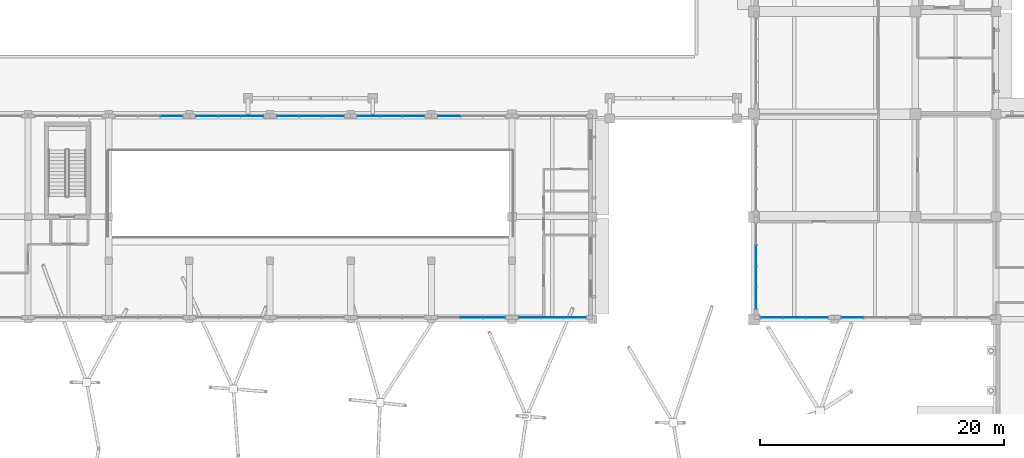
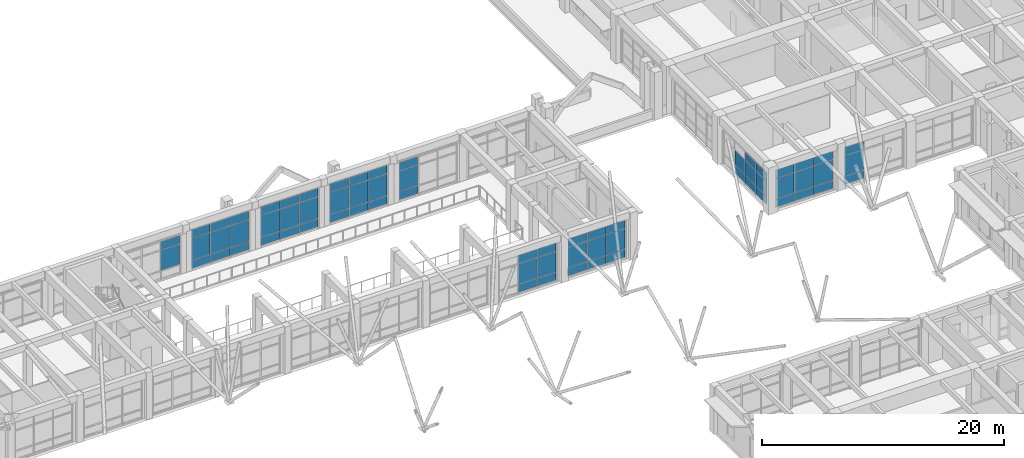
# One storey, part 37 of 75: 67 plates, 10 elements without a shape of their own.
"""IFC4 building model written with IfcOpenShell, lengths in metres."""

import ifcopenshell
import ifcopenshell.guid

model = None  # the IFC model being written
_history = None  # IfcOwnerHistory: only IFC2X3 demands one
_inside = {}  # id of a spatial element -> (the spatial element, [elements in it])
_under = {}  # id of a project, library or spatial element -> (it, [spatial elements below it])
_declared = {}  # id of a project -> (the project, [libraries it declares])
_typed = {}  # id of a type object -> (the type object, [elements of that type])
_made_of = {}  # id of a material, layer set ... -> (it, [elements and type objects made of it])


def new_model(schema):
    """Start an empty IFC model of exactly this schema.

    Asked for "IFC4X3", IfcOpenShell would pick the latest addendum, in which some entities
    have other attributes; the version numbers below select the first issue.
    IFC2X3 requires an IfcOwnerHistory on every rooted entity: one is made here for all.
    """
    global model, _history
    if schema == "IFC4X3":
        model = ifcopenshell.file(schema_version=(4, 3, 0, 0))
    else:
        model = ifcopenshell.file(schema=schema)
    _inside.clear()
    _under.clear()
    _declared.clear()
    _typed.clear()
    _made_of.clear()
    _history = None
    if model.schema == "IFC2X3":
        org = make("IfcOrganization", Name="unknown")
        user = make(
            "IfcPersonAndOrganization",
            ThePerson=make("IfcPerson", FamilyName="unknown"),
            TheOrganization=org,
        )
        app = make(
            "IfcApplication",
            ApplicationDeveloper=org,
            Version="unknown",
            ApplicationFullName="unknown",
            ApplicationIdentifier="unknown",
        )
        _history = make(
            "IfcOwnerHistory",
            OwningUser=user,
            OwningApplication=app,
            ChangeAction="ADDED",
            CreationDate=0,
        )
    return model


def make(cls, **values):
    """One entity of the class cls with the attributes given. An attribute that is None is left unset."""
    return model.create_entity(
        cls, **{name: value for name, value in values.items() if value is not None}
    )


def rooted(cls, **values):
    """An entity with a GlobalId (a new one), such as an element, a storey or a relation."""
    return make(cls, GlobalId=ifcopenshell.guid.new(), OwnerHistory=_history, **values)


def si_unit(unit_type, name, prefix=None):
    """IfcSIUnit, for example si_unit("LENGTHUNIT", "METRE", prefix="MILLI")."""
    return make("IfcSIUnit", UnitType=unit_type, Prefix=prefix, Name=name)


def assignment(units):
    """IfcUnitAssignment: the units of a project."""
    return None if units is None else make("IfcUnitAssignment", Units=units)


def point(xyz):
    """IfcCartesianPoint."""
    return None if xyz is None else make("IfcCartesianPoint", Coordinates=xyz)


def direction(xyz):
    """IfcDirection."""
    return None if xyz is None else make("IfcDirection", DirectionRatios=xyz)


def frame(location, z_axis=None, x_axis=None):
    """IfcAxis2Placement3D, a coordinate frame: its origin and axes. An axis left out is left unset."""
    return make(
        "IfcAxis2Placement3D",
        Location=point(location),
        Axis=direction(z_axis),
        RefDirection=direction(x_axis),
    )


def frame_2d(location, x_axis=None):
    """IfcAxis2Placement2D, a coordinate frame in the plane: its origin and x axis."""
    return make(
        "IfcAxis2Placement2D", Location=point(location), RefDirection=direction(x_axis)
    )


def origin():
    """The frame at (0, 0, 0) with its axes left unset."""
    return frame((0.0, 0.0, 0.0))


def origin_2d():
    """The frame at (0, 0) in the plane with its x axis left unset."""
    return frame_2d((0.0, 0.0))


def place(relative_to, where):
    """IfcLocalPlacement: puts the frame where relative to a parent placement (None: the world)."""
    return make(
        "IfcLocalPlacement", PlacementRelTo=relative_to, RelativePlacement=where
    )


def context(
    kind, dimensions, precision=None, world=None, true_north=None, identifier=None
):
    """IfcGeometricRepresentationContext, for example the 3D "Model" context."""
    return make(
        "IfcGeometricRepresentationContext",
        ContextIdentifier=identifier,
        ContextType=kind,
        CoordinateSpaceDimension=dimensions,
        Precision=precision,
        WorldCoordinateSystem=world,
        TrueNorth=true_north,
    )


def subcontext(parent, identifier, kind, view, scale=None):
    """IfcGeometricRepresentationSubContext, for example "Body" below "Model"."""
    return make(
        "IfcGeometricRepresentationSubContext",
        ContextIdentifier=identifier,
        ContextType=kind,
        ParentContext=parent,
        TargetScale=scale,
        TargetView=view,
    )


def project(units=None, contexts=None):
    """IfcProject with its units and contexts."""
    return rooted(
        "IfcProject",
        Name="project",
        RepresentationContexts=contexts,
        UnitsInContext=assignment(units),
    )


def spatial(cls, under=None, at=None, **own):
    """A site, building, storey or space (cls), placed at a placement, below another one or the project."""
    s = rooted(cls, ObjectPlacement=at, **own)
    if under is not None:
        _under.setdefault(under.id(), (under, []))[1].append(s)
    return s


def profile(cls, at=None, kind="AREA", **sizes):
    """A parametric profile (cls). Its sizes go by their IFC names, for example OverallWidth=200.0."""
    return make(cls, ProfileType=kind, Position=at, **sizes)


def rectangle(**sizes):
    """IfcRectangleProfileDef."""
    return profile("IfcRectangleProfileDef", **sizes)


def extrude(swept, where, along, depth):
    """IfcExtrudedAreaSolid: the profile swept, set in the frame where, extruded along a direction by depth."""
    return make(
        "IfcExtrudedAreaSolid",
        SweptArea=swept,
        Position=where,
        ExtrudedDirection=direction(along),
        Depth=depth,
    )


def shape(context_of_items, identifier, shape_type, items):
    """IfcShapeRepresentation: the items that make up one representation, for example the "Body"."""
    return make(
        "IfcShapeRepresentation",
        ContextOfItems=context_of_items,
        RepresentationIdentifier=identifier,
        RepresentationType=shape_type,
        Items=items,
    )


def material(Name=None, Category=None):
    """IfcMaterial."""
    return make("IfcMaterial", Name=Name, Category=Category)


def layer(
    of_material, thickness, ventilated=None, Name=None, Category=None, Priority=None
):
    """IfcMaterialLayer: one layer of a wall or slab, of a material (None: an air gap)."""
    return make(
        "IfcMaterialLayer",
        Material=of_material,
        LayerThickness=thickness,
        IsVentilated=ventilated,
        Name=Name,
        Category=Category,
        Priority=Priority,
    )


def layer_set(layers, Name=None):
    """IfcMaterialLayerSet."""
    return make("IfcMaterialLayerSet", MaterialLayers=layers, LayerSetName=Name)


def made_of(thing, what):
    """Note that an element or type object is made of a material, layer set ...; save() writes the relation."""
    if what is not None:
        _made_of.setdefault(what.id(), (what, []))[1].append(thing)
    return thing


def type_object(cls, material=None, **own):
    """A type object (cls), such as IfcWallType, which elements share."""
    return made_of(rooted(cls, **own), material)


def element(
    cls,
    number,
    at=None,
    inside=None,
    cuts=None,
    type_object=None,
    material=None,
    context=None,
    identifier="Body",
    shape_type=None,
    held_by="IfcProductDefinitionShape",
    body=None,
    shapes=None,
    **own,
):
    """One element of the class cls, such as IfcWall. Its Tag is "e" and its number.

    at: its placement. inside: the storey or other place that contains it. cuts: it is an
    opening in that element (IfcRelVoidsElement). A single representation is given by context,
    identifier, shape_type and body (its items); several are given by shapes. held_by: the class
    of the entity that holds the representations. save() writes the other relations.
    """
    e = rooted(cls, Tag="e%d" % number, ObjectPlacement=at, **own)
    if body is not None:
        shapes = [shape(context, identifier, shape_type, body)]
    if shapes is not None:
        e.Representation = make(held_by, Representations=shapes)
    if inside is not None:
        _inside.setdefault(inside.id(), (inside, []))[1].append(e)
    if cuts is not None:
        rooted(
            "IfcRelVoidsElement", RelatingBuildingElement=cuts, RelatedOpeningElement=e
        )
    if type_object is not None:
        _typed.setdefault(type_object.id(), (type_object, []))[1].append(e)
    return made_of(e, material)


def aggregate(whole, parts):
    """IfcRelAggregates: a whole, such as a stair, and the parts it consists of."""
    return rooted("IfcRelAggregates", RelatingObject=whole, RelatedObjects=parts)


def save(model, path):
    """Write the relations noted so far, then the file.

    IfcRelAggregates (storeys below a building ...), IfcRelContainedInSpatialStructure (elements
    in a storey), IfcRelDefinesByType, IfcRelAssociatesMaterial and IfcRelDeclares: one each for
    every whole, place, type object, material and project.
    """
    for whole, parts in _under.values():
        aggregate(whole, parts)
    for where, things in _inside.values():
        rooted(
            "IfcRelContainedInSpatialStructure",
            RelatedElements=things,
            RelatingStructure=where,
        )
    for kind, things in _typed.values():
        rooted("IfcRelDefinesByType", RelatedObjects=things, RelatingType=kind)
    for what, things in _made_of.values():
        rooted("IfcRelAssociatesMaterial", RelatedObjects=things, RelatingMaterial=what)
    for by, libraries in _declared.values():
        rooted("IfcRelDeclares", RelatingContext=by, RelatedDefinitions=libraries)
    model.write(path)


model = new_model("IFC4")

# Units and contexts
model_context = context("Model", 3, precision=1e-05, world=origin(), true_north=direction((0.0, 1.0)))
body_context = subcontext(model_context, "Body", "Model", "MODEL_VIEW")
ifc_project = project(units=[si_unit("LENGTHUNIT", "METRE"), si_unit("AREAUNIT", "SQUARE_METRE"), si_unit("VOLUMEUNIT", "CUBIC_METRE"), si_unit("PLANEANGLEUNIT", "RADIAN"), si_unit("MASSUNIT", "GRAM", prefix="KILO")], contexts=[model_context])

# Site, building, storey
site_placement = place(None, origin())
site = spatial("IfcSite", under=ifc_project, at=site_placement, CompositionType="ELEMENT")
building_placement = place(site_placement, origin())
building = spatial("IfcBuilding", under=site, at=building_placement, Name="Kolvaren Faculty of Natural Sciences", CompositionType="ELEMENT")
storey_placement = place(building_placement, frame((0.0, 0.0, 5.39990234375)))
storey = spatial("IfcBuildingStorey", under=building, at=storey_placement, Name="L01", CompositionType="ELEMENT", Elevation=5.39990234375)

# Curtain wall, plate
ifc_material_1 = material(Name="Thermally broken anodised aluminium framing", Category="aluminium")
ifc_layer_1 = layer(ifc_material_1, 0.179931640625)
ifc_layer_set_1 = layer_set([ifc_layer_1], Name="Thermally broken anodised aluminium framing")
curtain_wall_type_1 = type_object("IfcCurtainWallType", Name="CommonsCurtainWall_CW02", PredefinedType="NOTDEFINED", material=ifc_layer_set_1)
curtain_wall_1_placement = place(storey_placement, origin())
curtain_wall_1 = element("IfcCurtainWall", 1, at=curtain_wall_1_placement, inside=storey, type_object=curtain_wall_type_1, Name="L01 unitised curtain wall CW-02 (CW-L01-031)", PredefinedType="NOTDEFINED")
ifc_material_2 = material(Name="Double low-E solar control insulated glazing", Category="glass")
ifc_layer_2 = layer(ifc_material_2, 0.035888671875)
ifc_layer_set_2 = layer_set([ifc_layer_2], Name="Double low-E solar control insulated glazing")
plate_type_1 = type_object("IfcPlateType", Name="EnvelopePlate_CWPGL1", PredefinedType="CURTAIN_PANEL", material=ifc_layer_set_2)
plate_1_placement = place(storey_placement, frame((127.066650390625, 67.56005859375, 0.920166015625), z_axis=(0.0, 0.0, 1.0), x_axis=(-1.0, 0.0, 0.0)))
plate_1 = element("IfcPlate", 2, at=plate_1_placement, type_object=plate_type_1, Name="CW-L01-031 panel 3 V1", PredefinedType="CURTAIN_PANEL", context=body_context, shape_type="SweptSolid", body=[
    extrude(rectangle(XDim=1.783203125, YDim=0.035888671875, at=origin_2d()), origin(), (0.0, 0.0, 1.0), 2.044921875),
])

# Curtain wall, plates
curtain_wall_2_placement = place(storey_placement, origin())
curtain_wall_2 = element("IfcCurtainWall", 3, at=curtain_wall_2_placement, inside=storey, type_object=curtain_wall_type_1, Name="L01 unitised curtain wall CW-02 (CW-L01-032)", PredefinedType="NOTDEFINED")
plate_2_placement = place(storey_placement, frame((124.13330078125, 67.56005859375, 0.920166015625), z_axis=(0.0, 0.0, 1.0), x_axis=(-1.0, 0.0, 0.0)))
plate_2 = element("IfcPlate", 4, at=plate_2_placement, type_object=plate_type_1, Name="CW-L01-032 panel 1 V1", PredefinedType="CURTAIN_PANEL", context=body_context, shape_type="SweptSolid", body=[
    extrude(rectangle(XDim=1.783203125, YDim=0.035888671875, at=origin_2d()), origin(), (0.0, 0.0, 1.0), 2.044921875),
])
plate_3_placement = place(storey_placement, frame((122.300048828125, 67.56005859375, 0.920166015625), z_axis=(0.0, 0.0, 1.0), x_axis=(-1.0, 0.0, 0.0)))
plate_3 = element("IfcPlate", 5, at=plate_3_placement, type_object=plate_type_1, Name="CW-L01-032 panel 2 V1", PredefinedType="CURTAIN_PANEL", context=body_context, shape_type="SweptSolid", body=[
    extrude(rectangle(XDim=1.783203125, YDim=0.035888671875, at=origin_2d()), origin(), (0.0, 0.0, 1.0), 2.044921875),
])
plate_4_placement = place(storey_placement, frame((120.466796875, 67.56005859375, 0.920166015625), z_axis=(0.0, 0.0, 1.0), x_axis=(-1.0, 0.0, 0.0)))
plate_4 = element("IfcPlate", 6, at=plate_4_placement, type_object=plate_type_1, Name="CW-L01-032 panel 3 V1", PredefinedType="CURTAIN_PANEL", context=body_context, shape_type="SweptSolid", body=[
    extrude(rectangle(XDim=1.783203125, YDim=0.035888671875, at=origin_2d()), origin(), (0.0, 0.0, 1.0), 2.044921875),
])

curtain_wall_3_placement = place(storey_placement, origin())
curtain_wall_3 = element("IfcCurtainWall", 7, at=curtain_wall_3_placement, inside=storey, type_object=curtain_wall_type_1, Name="L01 unitised curtain wall CW-02 (CW-L01-033)", PredefinedType="NOTDEFINED")
plate_5_placement = place(storey_placement, frame((119.159912109375, 69.142578125, 0.919921875), z_axis=(0.0, 0.0, 1.0), x_axis=(0.0, 1.0, 0.0)))
plate_5 = element("IfcPlate", 8, at=plate_5_placement, type_object=plate_type_1, Name="CW-L01-033 panel 1 V1", PredefinedType="CURTAIN_PANEL", context=body_context, shape_type="SweptSolid", body=[
    extrude(rectangle(XDim=1.695068359375, YDim=0.035888671875, at=origin_2d()), origin(), (0.0, 0.0, 1.0), 1.4951171875),
])
plate_6_placement = place(storey_placement, frame((119.159912109375, 70.887451171875, 0.919921875), z_axis=(0.0, 0.0, 1.0), x_axis=(0.0, 1.0, 0.0)))
plate_6 = element("IfcPlate", 9, at=plate_6_placement, type_object=plate_type_1, Name="CW-L01-033 panel 2 V1", PredefinedType="CURTAIN_PANEL", context=body_context, shape_type="SweptSolid", body=[
    extrude(rectangle(XDim=1.695068359375, YDim=0.035888671875, at=origin_2d()), origin(), (0.0, 0.0, 1.0), 1.4951171875),
])
plate_7_placement = place(storey_placement, frame((119.159912109375, 72.632568359375, 0.919921875), z_axis=(0.0, 0.0, 1.0), x_axis=(0.0, 1.0, 0.0)))
plate_7 = element("IfcPlate", 10, at=plate_7_placement, type_object=plate_type_1, Name="CW-L01-033 panel 3 V1", PredefinedType="CURTAIN_PANEL", context=body_context, shape_type="SweptSolid", body=[
    extrude(rectangle(XDim=1.695068359375, YDim=0.035888671875, at=origin_2d()), origin(), (0.0, 0.0, 1.0), 1.4951171875),
])

# Curtain wall, plate
ifc_layer_3 = layer(ifc_material_1, 0.179931640625)
ifc_layer_set_3 = layer_set([ifc_layer_3], Name="Thermally broken anodised aluminium framing")
curtain_wall_type_2 = type_object("IfcCurtainWallType", Name="AtriumCurtainWall_CW01", PredefinedType="NOTDEFINED", material=ifc_layer_set_3)
curtain_wall_4_placement = place(storey_placement, origin())
curtain_wall_4 = element("IfcCurtainWall", 11, at=curtain_wall_4_placement, inside=storey, type_object=curtain_wall_type_2, Name="L01 unitised curtain wall CW-01 (CW-L01-056)", PredefinedType="NOTDEFINED")
plate_8_placement = place(storey_placement, frame((71.333251953125, 84.0400390625, 0.920166015625), z_axis=(0.0, 0.0, 1.0), x_axis=(1.0, 0.0, 0.0)))
plate_8 = element("IfcPlate", 12, at=plate_8_placement, type_object=plate_type_1, Name="CW-L01-056 panel 3 V1", PredefinedType="CURTAIN_PANEL", context=body_context, shape_type="SweptSolid", body=[
    extrude(rectangle(XDim=1.783203125, YDim=0.035888671875, at=origin_2d()), origin(), (0.0, 0.0, 1.0), 2.044921875),
])

# Curtain wall, plates
curtain_wall_5_placement = place(storey_placement, origin())
curtain_wall_5 = element("IfcCurtainWall", 13, at=curtain_wall_5_placement, inside=storey, type_object=curtain_wall_type_2, Name="L01 unitised curtain wall CW-01 (CW-L01-057)", PredefinedType="NOTDEFINED")
plate_9_placement = place(storey_placement, frame((74.2666015625, 84.0400390625, 0.919921875), z_axis=(0.0, 0.0, 1.0), x_axis=(1.0, 0.0, 0.0)))
plate_9 = element("IfcPlate", 14, at=plate_9_placement, type_object=plate_type_1, Name="CW-L01-057 panel 1 V1", PredefinedType="CURTAIN_PANEL", context=body_context, shape_type="SweptSolid", body=[
    extrude(rectangle(XDim=1.783203125, YDim=0.035888671875, at=origin_2d()), origin(), (0.0, 0.0, 1.0), 2.195068359375),
])
plate_10_placement = place(storey_placement, frame((76.10009765625, 84.0400390625, 0.919921875), z_axis=(0.0, 0.0, 1.0), x_axis=(1.0, 0.0, 0.0)))
plate_10 = element("IfcPlate", 15, at=plate_10_placement, type_object=plate_type_1, Name="CW-L01-057 panel 2 V1", PredefinedType="CURTAIN_PANEL", context=body_context, shape_type="SweptSolid", body=[
    extrude(rectangle(XDim=1.783203125, YDim=0.035888671875, at=origin_2d()), origin(), (0.0, 0.0, 1.0), 2.195068359375),
])
plate_11_placement = place(storey_placement, frame((77.933349609375, 84.0400390625, 0.919921875), z_axis=(0.0, 0.0, 1.0), x_axis=(1.0, 0.0, 0.0)))
plate_11 = element("IfcPlate", 16, at=plate_11_placement, type_object=plate_type_1, Name="CW-L01-057 panel 3 V1", PredefinedType="CURTAIN_PANEL", context=body_context, shape_type="SweptSolid", body=[
    extrude(rectangle(XDim=1.783203125, YDim=0.035888671875, at=origin_2d()), origin(), (0.0, 0.0, 1.0), 2.195068359375),
])

curtain_wall_6_placement = place(storey_placement, origin())
curtain_wall_6 = element("IfcCurtainWall", 17, at=curtain_wall_6_placement, inside=storey, type_object=curtain_wall_type_2, Name="L01 unitised curtain wall CW-01 (CW-L01-058)", PredefinedType="NOTDEFINED")
plate_12_placement = place(storey_placement, frame((80.86669921875, 84.0400390625, 0.919921875), z_axis=(0.0, 0.0, 1.0), x_axis=(1.0, 0.0, 0.0)))
plate_12 = element("IfcPlate", 18, at=plate_12_placement, type_object=plate_type_1, Name="CW-L01-058 panel 1 V1", PredefinedType="CURTAIN_PANEL", context=body_context, shape_type="SweptSolid", body=[
    extrude(rectangle(XDim=1.783203125, YDim=0.035888671875, at=origin_2d()), origin(), (0.0, 0.0, 1.0), 2.195068359375),
])
plate_13_placement = place(storey_placement, frame((82.699951171875, 84.0400390625, 0.919921875), z_axis=(0.0, 0.0, 1.0), x_axis=(1.0, 0.0, 0.0)))
plate_13 = element("IfcPlate", 19, at=plate_13_placement, type_object=plate_type_1, Name="CW-L01-058 panel 2 V1", PredefinedType="CURTAIN_PANEL", context=body_context, shape_type="SweptSolid", body=[
    extrude(rectangle(XDim=1.783203125, YDim=0.035888671875, at=origin_2d()), origin(), (0.0, 0.0, 1.0), 2.195068359375),
])
plate_14_placement = place(storey_placement, frame((84.533203125, 84.0400390625, 0.919921875), z_axis=(0.0, 0.0, 1.0), x_axis=(1.0, 0.0, 0.0)))
plate_14 = element("IfcPlate", 20, at=plate_14_placement, type_object=plate_type_1, Name="CW-L01-058 panel 3 V1", PredefinedType="CURTAIN_PANEL", context=body_context, shape_type="SweptSolid", body=[
    extrude(rectangle(XDim=1.783203125, YDim=0.035888671875, at=origin_2d()), origin(), (0.0, 0.0, 1.0), 2.195068359375),
])

curtain_wall_7_placement = place(storey_placement, origin())
curtain_wall_7 = element("IfcCurtainWall", 21, at=curtain_wall_7_placement, inside=storey, type_object=curtain_wall_type_2, Name="L01 unitised curtain wall CW-01 (CW-L01-059)", PredefinedType="NOTDEFINED")
plate_15_placement = place(storey_placement, frame((87.466796875, 84.0400390625, 0.919921875), z_axis=(0.0, 0.0, 1.0), x_axis=(1.0, 0.0, 0.0)))
plate_15 = element("IfcPlate", 22, at=plate_15_placement, type_object=plate_type_1, Name="CW-L01-059 panel 1 V1", PredefinedType="CURTAIN_PANEL", context=body_context, shape_type="SweptSolid", body=[
    extrude(rectangle(XDim=1.783203125, YDim=0.035888671875, at=origin_2d()), origin(), (0.0, 0.0, 1.0), 2.195068359375),
])
plate_16_placement = place(storey_placement, frame((89.300048828125, 84.0400390625, 0.919921875), z_axis=(0.0, 0.0, 1.0), x_axis=(1.0, 0.0, 0.0)))
plate_16 = element("IfcPlate", 23, at=plate_16_placement, type_object=plate_type_1, Name="CW-L01-059 panel 2 V1", PredefinedType="CURTAIN_PANEL", context=body_context, shape_type="SweptSolid", body=[
    extrude(rectangle(XDim=1.783203125, YDim=0.035888671875, at=origin_2d()), origin(), (0.0, 0.0, 1.0), 2.195068359375),
])
plate_17_placement = place(storey_placement, frame((91.13330078125, 84.0400390625, 0.919921875), z_axis=(0.0, 0.0, 1.0), x_axis=(1.0, 0.0, 0.0)))
plate_17 = element("IfcPlate", 24, at=plate_17_placement, type_object=plate_type_1, Name="CW-L01-059 panel 3 V1", PredefinedType="CURTAIN_PANEL", context=body_context, shape_type="SweptSolid", body=[
    extrude(rectangle(XDim=1.783203125, YDim=0.035888671875, at=origin_2d()), origin(), (0.0, 0.0, 1.0), 2.195068359375),
])

# Curtain wall, plate
curtain_wall_8_placement = place(storey_placement, origin())
curtain_wall_8 = element("IfcCurtainWall", 25, at=curtain_wall_8_placement, inside=storey, type_object=curtain_wall_type_2, Name="L01 unitised curtain wall CW-01 (CW-L01-060)", PredefinedType="NOTDEFINED")
plate_18_placement = place(storey_placement, frame((94.066650390625, 84.0400390625, 0.920166015625), z_axis=(0.0, 0.0, 1.0), x_axis=(1.0, 0.0, 0.0)))
plate_18 = element("IfcPlate", 26, at=plate_18_placement, type_object=plate_type_1, Name="CW-L01-060 panel 1 V1", PredefinedType="CURTAIN_PANEL", context=body_context, shape_type="SweptSolid", body=[
    extrude(rectangle(XDim=1.783203125, YDim=0.035888671875, at=origin_2d()), origin(), (0.0, 0.0, 1.0), 2.044921875),
])

# Curtain wall, plates
curtain_wall_9_placement = place(storey_placement, origin())
curtain_wall_9 = element("IfcCurtainWall", 27, at=curtain_wall_9_placement, inside=storey, type_object=curtain_wall_type_2, Name="L01 unitised curtain wall CW-01 (CW-L01-062)", PredefinedType="NOTDEFINED")
plate_19_placement = place(storey_placement, frame((104.333251953125, 67.56005859375, 0.920166015625), z_axis=(0.0, 0.0, 1.0), x_axis=(-1.0, 0.0, 0.0)))
plate_19 = element("IfcPlate", 28, at=plate_19_placement, type_object=plate_type_1, Name="CW-L01-062 panel 1 V1", PredefinedType="CURTAIN_PANEL", context=body_context, shape_type="SweptSolid", body=[
    extrude(rectangle(XDim=1.783203125, YDim=0.035888671875, at=origin_2d()), origin(), (0.0, 0.0, 1.0), 2.044921875),
])
plate_20_placement = place(storey_placement, frame((102.5, 67.56005859375, 0.920166015625), z_axis=(0.0, 0.0, 1.0), x_axis=(-1.0, 0.0, 0.0)))
plate_20 = element("IfcPlate", 29, at=plate_20_placement, type_object=plate_type_1, Name="CW-L01-062 panel 2 V1", PredefinedType="CURTAIN_PANEL", context=body_context, shape_type="SweptSolid", body=[
    extrude(rectangle(XDim=1.783203125, YDim=0.035888671875, at=origin_2d()), origin(), (0.0, 0.0, 1.0), 2.044921875),
])
plate_21_placement = place(storey_placement, frame((100.666748046875, 67.56005859375, 0.920166015625), z_axis=(0.0, 0.0, 1.0), x_axis=(-1.0, 0.0, 0.0)))
plate_21 = element("IfcPlate", 30, at=plate_21_placement, type_object=plate_type_1, Name="CW-L01-062 panel 3 V1", PredefinedType="CURTAIN_PANEL", context=body_context, shape_type="SweptSolid", body=[
    extrude(rectangle(XDim=1.783203125, YDim=0.035888671875, at=origin_2d()), origin(), (0.0, 0.0, 1.0), 2.044921875),
])

curtain_wall_10_placement = place(storey_placement, origin())
curtain_wall_10 = element("IfcCurtainWall", 31, at=curtain_wall_10_placement, inside=storey, type_object=curtain_wall_type_2, Name="L01 unitised curtain wall CW-01 (CW-L01-063)", PredefinedType="NOTDEFINED")
plate_22_placement = place(storey_placement, frame((97.7333984375, 67.56005859375, 0.920166015625), z_axis=(0.0, 0.0, 1.0), x_axis=(-1.0, 0.0, 0.0)))
plate_22 = element("IfcPlate", 32, at=plate_22_placement, type_object=plate_type_1, Name="CW-L01-063 panel 1 V1", PredefinedType="CURTAIN_PANEL", context=body_context, shape_type="SweptSolid", body=[
    extrude(rectangle(XDim=1.783203125, YDim=0.035888671875, at=origin_2d()), origin(), (0.0, 0.0, 1.0), 2.044921875),
])
plate_23_placement = place(storey_placement, frame((95.89990234375, 67.56005859375, 0.920166015625), z_axis=(0.0, 0.0, 1.0), x_axis=(-1.0, 0.0, 0.0)))
plate_23 = element("IfcPlate", 33, at=plate_23_placement, type_object=plate_type_1, Name="CW-L01-063 panel 2 V1", PredefinedType="CURTAIN_PANEL", context=body_context, shape_type="SweptSolid", body=[
    extrude(rectangle(XDim=1.783203125, YDim=0.035888671875, at=origin_2d()), origin(), (0.0, 0.0, 1.0), 2.044921875),
])

# Plate
ifc_layer_4 = layer(ifc_material_2, 0.035888671875)
ifc_layer_set_4 = layer_set([ifc_layer_4], Name="Double low-E solar control insulated glazing")
plate_type_2 = type_object("IfcPlateType", Name="EnvelopePlate_CWPGL2", PredefinedType="CURTAIN_PANEL", material=ifc_layer_set_4)
plate_24_placement = place(storey_placement, frame((127.066650390625, 67.56005859375, 3.005126953125), z_axis=(0.0, 0.0, 1.0), x_axis=(-1.0, 0.0, 0.0)))
plate_24 = element("IfcPlate", 34, at=plate_24_placement, type_object=plate_type_2, Name="CW-L01-031 panel 3 V2", PredefinedType="CURTAIN_PANEL", context=body_context, shape_type="SweptSolid", body=[
    extrude(rectangle(XDim=1.783203125, YDim=0.035888671875, at=origin_2d()), origin(), (0.0, 0.0, 1.0), 0.830078125),
])

plate_25_placement = place(storey_placement, frame((124.13330078125, 67.56005859375, 3.005126953125), z_axis=(0.0, 0.0, 1.0), x_axis=(-1.0, 0.0, 0.0)))
plate_25 = element("IfcPlate", 35, at=plate_25_placement, type_object=plate_type_2, Name="CW-L01-032 panel 1 V2", PredefinedType="CURTAIN_PANEL", context=body_context, shape_type="SweptSolid", body=[
    extrude(rectangle(XDim=1.783203125, YDim=0.035888671875, at=origin_2d()), origin(), (0.0, 0.0, 1.0), 0.830078125),
])

plate_26_placement = place(storey_placement, frame((122.300048828125, 67.56005859375, 3.005126953125), z_axis=(0.0, 0.0, 1.0), x_axis=(-1.0, 0.0, 0.0)))
plate_26 = element("IfcPlate", 36, at=plate_26_placement, type_object=plate_type_2, Name="CW-L01-032 panel 2 V2", PredefinedType="CURTAIN_PANEL", context=body_context, shape_type="SweptSolid", body=[
    extrude(rectangle(XDim=1.783203125, YDim=0.035888671875, at=origin_2d()), origin(), (0.0, 0.0, 1.0), 0.830078125),
])

plate_27_placement = place(storey_placement, frame((120.466796875, 67.56005859375, 3.005126953125), z_axis=(0.0, 0.0, 1.0), x_axis=(-1.0, 0.0, 0.0)))
plate_27 = element("IfcPlate", 37, at=plate_27_placement, type_object=plate_type_2, Name="CW-L01-032 panel 3 V2", PredefinedType="CURTAIN_PANEL", context=body_context, shape_type="SweptSolid", body=[
    extrude(rectangle(XDim=1.783203125, YDim=0.035888671875, at=origin_2d()), origin(), (0.0, 0.0, 1.0), 0.830078125),
])

plate_28_placement = place(storey_placement, frame((119.159912109375, 69.142578125, 2.455078125), z_axis=(0.0, 0.0, 1.0), x_axis=(0.0, 1.0, 0.0)))
plate_28 = element("IfcPlate", 38, at=plate_28_placement, type_object=plate_type_2, Name="CW-L01-033 panel 1 V2", PredefinedType="CURTAIN_PANEL", context=body_context, shape_type="SweptSolid", body=[
    extrude(rectangle(XDim=1.695068359375, YDim=0.035888671875, at=origin_2d()), origin(), (0.0, 0.0, 1.0), 0.830078125),
])

plate_29_placement = place(storey_placement, frame((119.159912109375, 70.887451171875, 2.455078125), z_axis=(0.0, 0.0, 1.0), x_axis=(0.0, 1.0, 0.0)))
plate_29 = element("IfcPlate", 39, at=plate_29_placement, type_object=plate_type_2, Name="CW-L01-033 panel 2 V2", PredefinedType="CURTAIN_PANEL", context=body_context, shape_type="SweptSolid", body=[
    extrude(rectangle(XDim=1.695068359375, YDim=0.035888671875, at=origin_2d()), origin(), (0.0, 0.0, 1.0), 0.830078125),
])

plate_30_placement = place(storey_placement, frame((71.333251953125, 84.0400390625, 3.005126953125), z_axis=(0.0, 0.0, 1.0), x_axis=(1.0, 0.0, 0.0)))
plate_30 = element("IfcPlate", 40, at=plate_30_placement, type_object=plate_type_2, Name="CW-L01-056 panel 3 V2", PredefinedType="CURTAIN_PANEL", context=body_context, shape_type="SweptSolid", body=[
    extrude(rectangle(XDim=1.783203125, YDim=0.035888671875, at=origin_2d()), origin(), (0.0, 0.0, 1.0), 0.830078125),
])

aggregate(curtain_wall_4, [plate_8, plate_30])

plate_31_placement = place(storey_placement, frame((74.2666015625, 84.0400390625, 3.155029296875), z_axis=(0.0, 0.0, 1.0), x_axis=(1.0, 0.0, 0.0)))
plate_31 = element("IfcPlate", 41, at=plate_31_placement, type_object=plate_type_2, Name="CW-L01-057 panel 1 V2", PredefinedType="CURTAIN_PANEL", context=body_context, shape_type="SweptSolid", body=[
    extrude(rectangle(XDim=1.783203125, YDim=0.035888671875, at=origin_2d()), origin(), (0.0, 0.0, 1.0), 0.830078125),
])

plate_32_placement = place(storey_placement, frame((76.10009765625, 84.0400390625, 3.155029296875), z_axis=(0.0, 0.0, 1.0), x_axis=(1.0, 0.0, 0.0)))
plate_32 = element("IfcPlate", 42, at=plate_32_placement, type_object=plate_type_2, Name="CW-L01-057 panel 2 V2", PredefinedType="CURTAIN_PANEL", context=body_context, shape_type="SweptSolid", body=[
    extrude(rectangle(XDim=1.783203125, YDim=0.035888671875, at=origin_2d()), origin(), (0.0, 0.0, 1.0), 0.830078125),
])

plate_33_placement = place(storey_placement, frame((77.933349609375, 84.0400390625, 3.155029296875), z_axis=(0.0, 0.0, 1.0), x_axis=(1.0, 0.0, 0.0)))
plate_33 = element("IfcPlate", 43, at=plate_33_placement, type_object=plate_type_2, Name="CW-L01-057 panel 3 V2", PredefinedType="CURTAIN_PANEL", context=body_context, shape_type="SweptSolid", body=[
    extrude(rectangle(XDim=1.783203125, YDim=0.035888671875, at=origin_2d()), origin(), (0.0, 0.0, 1.0), 0.830078125),
])

plate_34_placement = place(storey_placement, frame((80.86669921875, 84.0400390625, 3.155029296875), z_axis=(0.0, 0.0, 1.0), x_axis=(1.0, 0.0, 0.0)))
plate_34 = element("IfcPlate", 44, at=plate_34_placement, type_object=plate_type_2, Name="CW-L01-058 panel 1 V2", PredefinedType="CURTAIN_PANEL", context=body_context, shape_type="SweptSolid", body=[
    extrude(rectangle(XDim=1.783203125, YDim=0.035888671875, at=origin_2d()), origin(), (0.0, 0.0, 1.0), 0.830078125),
])

plate_35_placement = place(storey_placement, frame((82.699951171875, 84.0400390625, 3.155029296875), z_axis=(0.0, 0.0, 1.0), x_axis=(1.0, 0.0, 0.0)))
plate_35 = element("IfcPlate", 45, at=plate_35_placement, type_object=plate_type_2, Name="CW-L01-058 panel 2 V2", PredefinedType="CURTAIN_PANEL", context=body_context, shape_type="SweptSolid", body=[
    extrude(rectangle(XDim=1.783203125, YDim=0.035888671875, at=origin_2d()), origin(), (0.0, 0.0, 1.0), 0.830078125),
])

plate_36_placement = place(storey_placement, frame((84.533203125, 84.0400390625, 3.155029296875), z_axis=(0.0, 0.0, 1.0), x_axis=(1.0, 0.0, 0.0)))
plate_36 = element("IfcPlate", 46, at=plate_36_placement, type_object=plate_type_2, Name="CW-L01-058 panel 3 V2", PredefinedType="CURTAIN_PANEL", context=body_context, shape_type="SweptSolid", body=[
    extrude(rectangle(XDim=1.783203125, YDim=0.035888671875, at=origin_2d()), origin(), (0.0, 0.0, 1.0), 0.830078125),
])

plate_37_placement = place(storey_placement, frame((87.466796875, 84.0400390625, 3.155029296875), z_axis=(0.0, 0.0, 1.0), x_axis=(1.0, 0.0, 0.0)))
plate_37 = element("IfcPlate", 47, at=plate_37_placement, type_object=plate_type_2, Name="CW-L01-059 panel 1 V2", PredefinedType="CURTAIN_PANEL", context=body_context, shape_type="SweptSolid", body=[
    extrude(rectangle(XDim=1.783203125, YDim=0.035888671875, at=origin_2d()), origin(), (0.0, 0.0, 1.0), 0.830078125),
])

plate_38_placement = place(storey_placement, frame((89.300048828125, 84.0400390625, 3.155029296875), z_axis=(0.0, 0.0, 1.0), x_axis=(1.0, 0.0, 0.0)))
plate_38 = element("IfcPlate", 48, at=plate_38_placement, type_object=plate_type_2, Name="CW-L01-059 panel 2 V2", PredefinedType="CURTAIN_PANEL", context=body_context, shape_type="SweptSolid", body=[
    extrude(rectangle(XDim=1.783203125, YDim=0.035888671875, at=origin_2d()), origin(), (0.0, 0.0, 1.0), 0.830078125),
])

plate_39_placement = place(storey_placement, frame((91.13330078125, 84.0400390625, 3.155029296875), z_axis=(0.0, 0.0, 1.0), x_axis=(1.0, 0.0, 0.0)))
plate_39 = element("IfcPlate", 49, at=plate_39_placement, type_object=plate_type_2, Name="CW-L01-059 panel 3 V2", PredefinedType="CURTAIN_PANEL", context=body_context, shape_type="SweptSolid", body=[
    extrude(rectangle(XDim=1.783203125, YDim=0.035888671875, at=origin_2d()), origin(), (0.0, 0.0, 1.0), 0.830078125),
])

plate_40_placement = place(storey_placement, frame((94.066650390625, 84.0400390625, 3.005126953125), z_axis=(0.0, 0.0, 1.0), x_axis=(1.0, 0.0, 0.0)))
plate_40 = element("IfcPlate", 50, at=plate_40_placement, type_object=plate_type_2, Name="CW-L01-060 panel 1 V2", PredefinedType="CURTAIN_PANEL", context=body_context, shape_type="SweptSolid", body=[
    extrude(rectangle(XDim=1.783203125, YDim=0.035888671875, at=origin_2d()), origin(), (0.0, 0.0, 1.0), 0.830078125),
])

plate_41_placement = place(storey_placement, frame((104.333251953125, 67.56005859375, 3.005126953125), z_axis=(0.0, 0.0, 1.0), x_axis=(-1.0, 0.0, 0.0)))
plate_41 = element("IfcPlate", 51, at=plate_41_placement, type_object=plate_type_2, Name="CW-L01-062 panel 1 V2", PredefinedType="CURTAIN_PANEL", context=body_context, shape_type="SweptSolid", body=[
    extrude(rectangle(XDim=1.783203125, YDim=0.035888671875, at=origin_2d()), origin(), (0.0, 0.0, 1.0), 0.830078125),
])

plate_42_placement = place(storey_placement, frame((102.5, 67.56005859375, 3.005126953125), z_axis=(0.0, 0.0, 1.0), x_axis=(-1.0, 0.0, 0.0)))
plate_42 = element("IfcPlate", 52, at=plate_42_placement, type_object=plate_type_2, Name="CW-L01-062 panel 2 V2", PredefinedType="CURTAIN_PANEL", context=body_context, shape_type="SweptSolid", body=[
    extrude(rectangle(XDim=1.783203125, YDim=0.035888671875, at=origin_2d()), origin(), (0.0, 0.0, 1.0), 0.830078125),
])

plate_43_placement = place(storey_placement, frame((100.666748046875, 67.56005859375, 3.005126953125), z_axis=(0.0, 0.0, 1.0), x_axis=(-1.0, 0.0, 0.0)))
plate_43 = element("IfcPlate", 53, at=plate_43_placement, type_object=plate_type_2, Name="CW-L01-062 panel 3 V2", PredefinedType="CURTAIN_PANEL", context=body_context, shape_type="SweptSolid", body=[
    extrude(rectangle(XDim=1.783203125, YDim=0.035888671875, at=origin_2d()), origin(), (0.0, 0.0, 1.0), 0.830078125),
])

plate_44_placement = place(storey_placement, frame((97.7333984375, 67.56005859375, 3.005126953125), z_axis=(0.0, 0.0, 1.0), x_axis=(-1.0, 0.0, 0.0)))
plate_44 = element("IfcPlate", 54, at=plate_44_placement, type_object=plate_type_2, Name="CW-L01-063 panel 1 V2", PredefinedType="CURTAIN_PANEL", context=body_context, shape_type="SweptSolid", body=[
    extrude(rectangle(XDim=1.783203125, YDim=0.035888671875, at=origin_2d()), origin(), (0.0, 0.0, 1.0), 0.830078125),
])

plate_45_placement = place(storey_placement, frame((95.89990234375, 67.56005859375, 3.005126953125), z_axis=(0.0, 0.0, 1.0), x_axis=(-1.0, 0.0, 0.0)))
plate_45 = element("IfcPlate", 55, at=plate_45_placement, type_object=plate_type_2, Name="CW-L01-063 panel 2 V2", PredefinedType="CURTAIN_PANEL", context=body_context, shape_type="SweptSolid", body=[
    extrude(rectangle(XDim=1.783203125, YDim=0.035888671875, at=origin_2d()), origin(), (0.0, 0.0, 1.0), 0.830078125),
])

ifc_material_3 = material(Name="Insulated anodised aluminium spandrel panel", Category="aluminium")
ifc_layer_5 = layer(ifc_material_3, 0.050048828125)
ifc_layer_set_5 = layer_set([ifc_layer_5], Name="Insulated anodised aluminium spandrel panel")
plate_type_3 = type_object("IfcPlateType", Name="EnvelopePlate_CWPSP1", PredefinedType="SHEET", material=ifc_layer_set_5)
plate_46_placement = place(storey_placement, frame((127.066650390625, 67.56005859375, 0.10009765625), z_axis=(0.0, 0.0, 1.0), x_axis=(-1.0, 0.0, 0.0)))
plate_46 = element("IfcPlate", 56, at=plate_46_placement, type_object=plate_type_3, Name="CW-L01-031 panel 3 SP", PredefinedType="SHEET", context=body_context, shape_type="SweptSolid", body=[
    extrude(rectangle(XDim=1.783203125, YDim=0.050048828125, at=origin_2d()), origin(), (0.0, 0.0, 1.0), 0.780029296875),
])

aggregate(curtain_wall_1, [plate_46, plate_1, plate_24])

plate_47_placement = place(storey_placement, frame((124.13330078125, 67.56005859375, 0.10009765625), z_axis=(0.0, 0.0, 1.0), x_axis=(-1.0, 0.0, 0.0)))
plate_47 = element("IfcPlate", 57, at=plate_47_placement, type_object=plate_type_3, Name="CW-L01-032 panel 1 SP", PredefinedType="SHEET", context=body_context, shape_type="SweptSolid", body=[
    extrude(rectangle(XDim=1.783203125, YDim=0.050048828125, at=origin_2d()), origin(), (0.0, 0.0, 1.0), 0.780029296875),
])

plate_48_placement = place(storey_placement, frame((122.300048828125, 67.56005859375, 0.10009765625), z_axis=(0.0, 0.0, 1.0), x_axis=(-1.0, 0.0, 0.0)))
plate_48 = element("IfcPlate", 58, at=plate_48_placement, type_object=plate_type_3, Name="CW-L01-032 panel 2 SP", PredefinedType="SHEET", context=body_context, shape_type="SweptSolid", body=[
    extrude(rectangle(XDim=1.783203125, YDim=0.050048828125, at=origin_2d()), origin(), (0.0, 0.0, 1.0), 0.780029296875),
])

plate_49_placement = place(storey_placement, frame((120.466796875, 67.56005859375, 0.10009765625), z_axis=(0.0, 0.0, 1.0), x_axis=(-1.0, 0.0, 0.0)))
plate_49 = element("IfcPlate", 59, at=plate_49_placement, type_object=plate_type_3, Name="CW-L01-032 panel 3 SP", PredefinedType="SHEET", context=body_context, shape_type="SweptSolid", body=[
    extrude(rectangle(XDim=1.783203125, YDim=0.050048828125, at=origin_2d()), origin(), (0.0, 0.0, 1.0), 0.780029296875),
])

aggregate(curtain_wall_2, [plate_47, plate_2, plate_25, plate_48, plate_3, plate_26, plate_49, plate_4, plate_27])

plate_50_placement = place(storey_placement, frame((119.159912109375, 69.142578125, 0.10009765625), z_axis=(0.0, 0.0, 1.0), x_axis=(0.0, 1.0, 0.0)))
plate_50 = element("IfcPlate", 60, at=plate_50_placement, type_object=plate_type_3, Name="CW-L01-033 panel 1 SP", PredefinedType="SHEET", context=body_context, shape_type="SweptSolid", body=[
    extrude(rectangle(XDim=1.695068359375, YDim=0.050048828125, at=origin_2d()), origin(), (0.0, 0.0, 1.0), 0.780029296875),
])

plate_51_placement = place(storey_placement, frame((119.159912109375, 70.887451171875, 0.10009765625), z_axis=(0.0, 0.0, 1.0), x_axis=(0.0, 1.0, 0.0)))
plate_51 = element("IfcPlate", 61, at=plate_51_placement, type_object=plate_type_3, Name="CW-L01-033 panel 2 SP", PredefinedType="SHEET", context=body_context, shape_type="SweptSolid", body=[
    extrude(rectangle(XDim=1.695068359375, YDim=0.050048828125, at=origin_2d()), origin(), (0.0, 0.0, 1.0), 0.780029296875),
])

plate_52_placement = place(storey_placement, frame((119.159912109375, 72.632568359375, 0.10009765625), z_axis=(0.0, 0.0, 1.0), x_axis=(0.0, 1.0, 0.0)))
plate_52 = element("IfcPlate", 62, at=plate_52_placement, type_object=plate_type_3, Name="CW-L01-033 panel 3 SP", PredefinedType="SHEET", context=body_context, shape_type="SweptSolid", body=[
    extrude(rectangle(XDim=1.695068359375, YDim=0.050048828125, at=origin_2d()), origin(), (0.0, 0.0, 1.0), 0.780029296875),
])

aggregate(curtain_wall_3, [plate_50, plate_5, plate_28, plate_51, plate_6, plate_29, plate_52, plate_7])

plate_53_placement = place(storey_placement, frame((74.2666015625, 84.0400390625, 0.10009765625), z_axis=(0.0, 0.0, 1.0), x_axis=(1.0, 0.0, 0.0)))
plate_53 = element("IfcPlate", 63, at=plate_53_placement, type_object=plate_type_3, Name="CW-L01-057 panel 1 SP", PredefinedType="SHEET", context=body_context, shape_type="SweptSolid", body=[
    extrude(rectangle(XDim=1.783203125, YDim=0.050048828125, at=origin_2d()), origin(), (0.0, 0.0, 1.0), 0.780029296875),
])

plate_54_placement = place(storey_placement, frame((76.10009765625, 84.0400390625, 0.10009765625), z_axis=(0.0, 0.0, 1.0), x_axis=(1.0, 0.0, 0.0)))
plate_54 = element("IfcPlate", 64, at=plate_54_placement, type_object=plate_type_3, Name="CW-L01-057 panel 2 SP", PredefinedType="SHEET", context=body_context, shape_type="SweptSolid", body=[
    extrude(rectangle(XDim=1.783203125, YDim=0.050048828125, at=origin_2d()), origin(), (0.0, 0.0, 1.0), 0.780029296875),
])

plate_55_placement = place(storey_placement, frame((77.933349609375, 84.0400390625, 0.10009765625), z_axis=(0.0, 0.0, 1.0), x_axis=(1.0, 0.0, 0.0)))
plate_55 = element("IfcPlate", 65, at=plate_55_placement, type_object=plate_type_3, Name="CW-L01-057 panel 3 SP", PredefinedType="SHEET", context=body_context, shape_type="SweptSolid", body=[
    extrude(rectangle(XDim=1.783203125, YDim=0.050048828125, at=origin_2d()), origin(), (0.0, 0.0, 1.0), 0.780029296875),
])

aggregate(curtain_wall_5, [plate_53, plate_9, plate_31, plate_54, plate_10, plate_32, plate_55, plate_11, plate_33])

plate_56_placement = place(storey_placement, frame((80.86669921875, 84.0400390625, 0.10009765625), z_axis=(0.0, 0.0, 1.0), x_axis=(1.0, 0.0, 0.0)))
plate_56 = element("IfcPlate", 66, at=plate_56_placement, type_object=plate_type_3, Name="CW-L01-058 panel 1 SP", PredefinedType="SHEET", context=body_context, shape_type="SweptSolid", body=[
    extrude(rectangle(XDim=1.783203125, YDim=0.050048828125, at=origin_2d()), origin(), (0.0, 0.0, 1.0), 0.780029296875),
])

plate_57_placement = place(storey_placement, frame((82.699951171875, 84.0400390625, 0.10009765625), z_axis=(0.0, 0.0, 1.0), x_axis=(1.0, 0.0, 0.0)))
plate_57 = element("IfcPlate", 67, at=plate_57_placement, type_object=plate_type_3, Name="CW-L01-058 panel 2 SP", PredefinedType="SHEET", context=body_context, shape_type="SweptSolid", body=[
    extrude(rectangle(XDim=1.783203125, YDim=0.050048828125, at=origin_2d()), origin(), (0.0, 0.0, 1.0), 0.780029296875),
])

plate_58_placement = place(storey_placement, frame((84.533203125, 84.0400390625, 0.10009765625), z_axis=(0.0, 0.0, 1.0), x_axis=(1.0, 0.0, 0.0)))
plate_58 = element("IfcPlate", 68, at=plate_58_placement, type_object=plate_type_3, Name="CW-L01-058 panel 3 SP", PredefinedType="SHEET", context=body_context, shape_type="SweptSolid", body=[
    extrude(rectangle(XDim=1.783203125, YDim=0.050048828125, at=origin_2d()), origin(), (0.0, 0.0, 1.0), 0.780029296875),
])

aggregate(curtain_wall_6, [plate_56, plate_12, plate_34, plate_57, plate_13, plate_35, plate_58, plate_14, plate_36])

plate_59_placement = place(storey_placement, frame((87.466796875, 84.0400390625, 0.10009765625), z_axis=(0.0, 0.0, 1.0), x_axis=(1.0, 0.0, 0.0)))
plate_59 = element("IfcPlate", 69, at=plate_59_placement, type_object=plate_type_3, Name="CW-L01-059 panel 1 SP", PredefinedType="SHEET", context=body_context, shape_type="SweptSolid", body=[
    extrude(rectangle(XDim=1.783203125, YDim=0.050048828125, at=origin_2d()), origin(), (0.0, 0.0, 1.0), 0.780029296875),
])

plate_60_placement = place(storey_placement, frame((89.300048828125, 84.0400390625, 0.10009765625), z_axis=(0.0, 0.0, 1.0), x_axis=(1.0, 0.0, 0.0)))
plate_60 = element("IfcPlate", 70, at=plate_60_placement, type_object=plate_type_3, Name="CW-L01-059 panel 2 SP", PredefinedType="SHEET", context=body_context, shape_type="SweptSolid", body=[
    extrude(rectangle(XDim=1.783203125, YDim=0.050048828125, at=origin_2d()), origin(), (0.0, 0.0, 1.0), 0.780029296875),
])

plate_61_placement = place(storey_placement, frame((91.13330078125, 84.0400390625, 0.10009765625), z_axis=(0.0, 0.0, 1.0), x_axis=(1.0, 0.0, 0.0)))
plate_61 = element("IfcPlate", 71, at=plate_61_placement, type_object=plate_type_3, Name="CW-L01-059 panel 3 SP", PredefinedType="SHEET", context=body_context, shape_type="SweptSolid", body=[
    extrude(rectangle(XDim=1.783203125, YDim=0.050048828125, at=origin_2d()), origin(), (0.0, 0.0, 1.0), 0.780029296875),
])

aggregate(curtain_wall_7, [plate_59, plate_15, plate_37, plate_60, plate_16, plate_38, plate_61, plate_17, plate_39])

plate_62_placement = place(storey_placement, frame((94.066650390625, 84.0400390625, 0.10009765625), z_axis=(0.0, 0.0, 1.0), x_axis=(1.0, 0.0, 0.0)))
plate_62 = element("IfcPlate", 72, at=plate_62_placement, type_object=plate_type_3, Name="CW-L01-060 panel 1 SP", PredefinedType="SHEET", context=body_context, shape_type="SweptSolid", body=[
    extrude(rectangle(XDim=1.783203125, YDim=0.050048828125, at=origin_2d()), origin(), (0.0, 0.0, 1.0), 0.780029296875),
])

aggregate(curtain_wall_8, [plate_62, plate_18, plate_40])

plate_63_placement = place(storey_placement, frame((104.333251953125, 67.56005859375, 0.10009765625), z_axis=(0.0, 0.0, 1.0), x_axis=(-1.0, 0.0, 0.0)))
plate_63 = element("IfcPlate", 73, at=plate_63_placement, type_object=plate_type_3, Name="CW-L01-062 panel 1 SP", PredefinedType="SHEET", context=body_context, shape_type="SweptSolid", body=[
    extrude(rectangle(XDim=1.783203125, YDim=0.050048828125, at=origin_2d()), origin(), (0.0, 0.0, 1.0), 0.780029296875),
])

plate_64_placement = place(storey_placement, frame((102.5, 67.56005859375, 0.10009765625), z_axis=(0.0, 0.0, 1.0), x_axis=(-1.0, 0.0, 0.0)))
plate_64 = element("IfcPlate", 74, at=plate_64_placement, type_object=plate_type_3, Name="CW-L01-062 panel 2 SP", PredefinedType="SHEET", context=body_context, shape_type="SweptSolid", body=[
    extrude(rectangle(XDim=1.783203125, YDim=0.050048828125, at=origin_2d()), origin(), (0.0, 0.0, 1.0), 0.780029296875),
])

plate_65_placement = place(storey_placement, frame((100.666748046875, 67.56005859375, 0.10009765625), z_axis=(0.0, 0.0, 1.0), x_axis=(-1.0, 0.0, 0.0)))
plate_65 = element("IfcPlate", 75, at=plate_65_placement, type_object=plate_type_3, Name="CW-L01-062 panel 3 SP", PredefinedType="SHEET", context=body_context, shape_type="SweptSolid", body=[
    extrude(rectangle(XDim=1.783203125, YDim=0.050048828125, at=origin_2d()), origin(), (0.0, 0.0, 1.0), 0.780029296875),
])

aggregate(curtain_wall_9, [plate_63, plate_19, plate_41, plate_64, plate_20, plate_42, plate_65, plate_21, plate_43])

plate_66_placement = place(storey_placement, frame((97.7333984375, 67.56005859375, 0.10009765625), z_axis=(0.0, 0.0, 1.0), x_axis=(-1.0, 0.0, 0.0)))
plate_66 = element("IfcPlate", 76, at=plate_66_placement, type_object=plate_type_3, Name="CW-L01-063 panel 1 SP", PredefinedType="SHEET", context=body_context, shape_type="SweptSolid", body=[
    extrude(rectangle(XDim=1.783203125, YDim=0.050048828125, at=origin_2d()), origin(), (0.0, 0.0, 1.0), 0.780029296875),
])

plate_67_placement = place(storey_placement, frame((95.89990234375, 67.56005859375, 0.10009765625), z_axis=(0.0, 0.0, 1.0), x_axis=(-1.0, 0.0, 0.0)))
plate_67 = element("IfcPlate", 77, at=plate_67_placement, type_object=plate_type_3, Name="CW-L01-063 panel 2 SP", PredefinedType="SHEET", context=body_context, shape_type="SweptSolid", body=[
    extrude(rectangle(XDim=1.783203125, YDim=0.050048828125, at=origin_2d()), origin(), (0.0, 0.0, 1.0), 0.780029296875),
])

aggregate(curtain_wall_10, [plate_66, plate_22, plate_44, plate_67, plate_23, plate_45])

save(model, "model.ifc")
